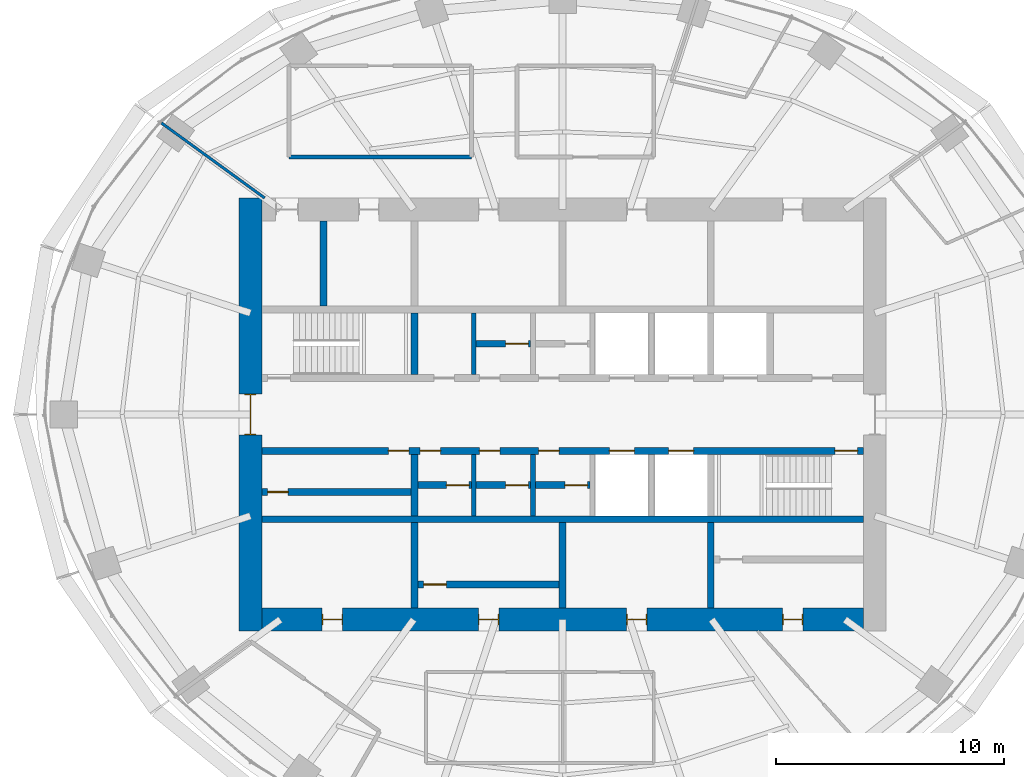
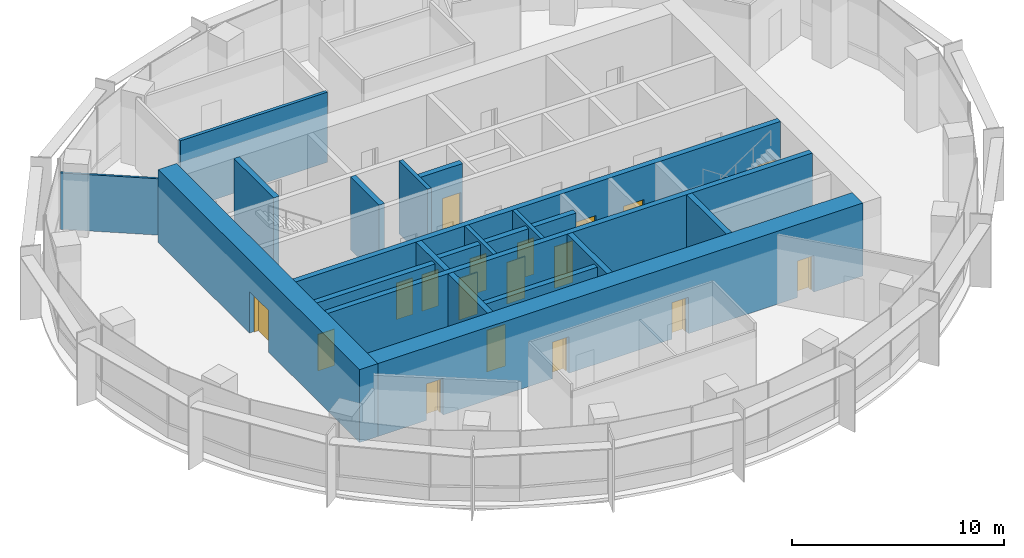
# One storey, part 9 of 13: 21 walls, 18 doors, 18 openings.
"""IFC4 building model written with IfcOpenShell, lengths in metres."""

from ifc_helpers import new_model, si_unit, direction, frame, frame_2d, origin, place, context, subcontext, project, spatial, rectangle, extrude, material, layer, layer_set, type_object, element, fill, save


model = new_model("IFC4")

# Units and contexts
model_context = context("Model", 3, precision=1e-05, world=origin(), true_north=direction((0.0, 1.0)))
body_context = subcontext(model_context, "Body", "Model", "MODEL_VIEW")
ifc_project = project(units=[si_unit("LENGTHUNIT", "METRE"), si_unit("AREAUNIT", "SQUARE_METRE"), si_unit("VOLUMEUNIT", "CUBIC_METRE"), si_unit("PLANEANGLEUNIT", "RADIAN"), si_unit("MASSUNIT", "GRAM", prefix="KILO")], contexts=[model_context])

# Site, building, storey
site_placement = place(None, origin())
site = spatial("IfcSite", under=ifc_project, at=site_placement, CompositionType="ELEMENT")
building_placement = place(site_placement, origin())
building = spatial("IfcBuilding", under=site, at=building_placement, Name="Marramba Exchange Tower", CompositionType="ELEMENT")
storey_placement = place(building_placement, frame((0.0, 0.0, 264.39990234375)))
storey = spatial("IfcBuildingStorey", under=building, at=storey_placement, Name="L64", CompositionType="ELEMENT", Elevation=264.39990234375)

# Walls
ifc_material_1 = material(Name="Plasterboard on staggered double steel studs, acoustic insulation", Category="steel")
ifc_layer_1 = layer(ifc_material_1, 0.169921875)
ifc_layer_set_1 = layer_set([ifc_layer_1], Name="Acoustic partition 170")
wall_type_1 = type_object("IfcWallType", Name="Acoustic partition 170", PredefinedType="PARTITIONING", material=ifc_layer_set_1)
wall_1_placement = place(storey_placement, frame((-4.0, 11.300048828125, 0.0), z_axis=(0.0, 0.0, 1.0), x_axis=(-1.0, 0.0, 0.0)))
element("IfcWall", 1, at=wall_1_placement, inside=storey, type_object=wall_type_1, Name="Acoustic partition L64 22", PredefinedType="PARTITIONING", context=body_context, shape_type="SweptSolid", body=[
    extrude(rectangle(XDim=8.0, YDim=0.169921875, at=frame_2d((4.0, 0.0))), origin(), (0.0, 0.0, 1.0), 4.0400390625),
])
ifc_material_2 = material(Name="Concrete N50", Category="concrete")
ifc_layer_2 = layer(ifc_material_2, 0.199951171875)
ifc_layer_set_2 = layer_set([ifc_layer_2], Name="Core shaft wall 200")
wall_type_2 = type_object("IfcWallType", Name="Core shaft wall 200", PredefinedType="SHEAR", material=ifc_layer_set_2)
for number, where, z_axis, x_axis, name in (
    (2, (-3.89990234375, 1.75, 0.0), (0.0, 0.0, 1.0), (0.0, 1.0, 0.0), "Core wall SHN1 L64"),
    (3, (-3.89990234375, -1.75, 0.0), (0.0, 0.0, 1.0), (0.0, -1.0, 0.0), "Core wall SHS1 L64"),
    (4, (-1.300048828125, -1.75, 0.0), (0.0, 0.0, 1.0), (0.0, -1.0, 0.0), "Core wall SHS2 L64"),
):
    element("IfcWall", number, at=place(storey_placement, frame(where, z_axis=z_axis, x_axis=x_axis)), inside=storey, type_object=wall_type_2, Name=name, PredefinedType="SHEAR", context=body_context, shape_type="SweptSolid", body=[
        extrude(rectangle(XDim=2.699951171875, YDim=0.199951171875, at=frame_2d((1.35009765625, 0.0))), origin(), (0.0, 0.0, 1.0), 4.2001953125),
    ])

# Wall, openings, doors
ifc_layer_3 = layer(ifc_material_2, 1.0)
ifc_layer_set_3 = layer_set([ifc_layer_3], Name="Core wall 1000")
wall_type_3 = type_object("IfcWallType", Name="Core wall 1000", PredefinedType="SHEAR", material=ifc_layer_set_3)
wall_2_placement = place(storey_placement, frame((-13.199951171875, -9.0, 0.0), z_axis=(0.0, 0.0, 1.0), x_axis=(1.0, 0.0, 0.0)))
wall_2 = element("IfcWall", 5, at=wall_2_placement, inside=storey, type_object=wall_type_3, Name="Core wall S L64", PredefinedType="SHEAR", context=body_context, shape_type="SweptSolid", body=[
    extrude(rectangle(XDim=26.39990234375, YDim=1.0, at=frame_2d((13.199951171875, 0.0))), origin(), (0.0, 0.0, 1.0), 4.2001953125),
])
opening_1_placement = place(wall_2_placement, frame((2.64990234375, 0.0, 0.0)))
opening_1 = element("IfcOpeningElement", 6, at=opening_1_placement, cuts=wall_2, Name="Opening D5", PredefinedType="OPENING", context=body_context, shape_type="SweptSolid", body=[
    extrude(rectangle(XDim=0.89990234375, YDim=2.10009765625, at=frame_2d((0.449951171875, 1.050048828125))), frame((0.0, 0.510009765625, 0.0), z_axis=(0.0, -1.0, 0.0), x_axis=(1.0, 0.0, 0.0)), (0.0, 0.0, 1.0), 1.02001953125),
])
opening_2_placement = place(wall_2_placement, frame((9.5, 0.0, 0.0)))
opening_2 = element("IfcOpeningElement", 7, at=opening_2_placement, cuts=wall_2, Name="Opening D5", PredefinedType="OPENING", context=body_context, shape_type="SweptSolid", body=[
    extrude(rectangle(XDim=0.89990234375, YDim=2.10009765625, at=frame_2d((0.449951171875, 1.050048828125))), frame((0.0, 0.510009765625, 0.0), z_axis=(0.0, -1.0, 0.0), x_axis=(1.0, 0.0, 0.0)), (0.0, 0.0, 1.0), 1.02001953125),
])
opening_3_placement = place(wall_2_placement, frame((16.0, 0.0, 0.0)))
opening_3 = element("IfcOpeningElement", 8, at=opening_3_placement, cuts=wall_2, Name="Opening D5", PredefinedType="OPENING", context=body_context, shape_type="SweptSolid", body=[
    extrude(rectangle(XDim=0.89990234375, YDim=2.10009765625, at=frame_2d((0.449951171875, 1.050048828125))), frame((0.0, 0.510009765625, 0.0), z_axis=(0.0, -1.0, 0.0), x_axis=(1.0, 0.0, 0.0)), (0.0, 0.0, 1.0), 1.02001953125),
])
opening_4_placement = place(wall_2_placement, frame((22.85009765625, 0.0, 0.0)))
opening_4 = element("IfcOpeningElement", 9, at=opening_4_placement, cuts=wall_2, Name="Opening D5", PredefinedType="OPENING", context=body_context, shape_type="SweptSolid", body=[
    extrude(rectangle(XDim=0.89990234375, YDim=2.10009765625, at=frame_2d((0.449951171875, 1.050048828125))), frame((0.0, 0.510009765625, 0.0), z_axis=(0.0, -1.0, 0.0), x_axis=(1.0, 0.0, 0.0)), (0.0, 0.0, 1.0), 1.02001953125),
])
ifc_material_3 = material(Name="Steel-framed door", Category="steel")
door_type_1 = type_object("IfcDoorType", Name="Service door 900x2100", OperationType="SINGLE_SWING_LEFT", PredefinedType="DOOR", material=ifc_material_3)
door_1_placement = place(opening_1_placement, origin())
door_1 = element("IfcDoor", 10, at=door_1_placement, inside=storey, type_object=door_type_1, Name="D5 ahu L64", OperationType="SINGLE_SWING_LEFT", OverallHeight=2.10009765625, OverallWidth=0.89990234375, PredefinedType="DOOR", context=body_context, shape_type="SweptSolid", body=[
    extrude(rectangle(XDim=0.81982421875, YDim=2.06005859375, at=frame_2d((0.449951171875, 1.030029296875))), frame((0.0, 0.02490234375, 0.0), z_axis=(0.0, -1.0, 0.0), x_axis=(1.0, 0.0, 0.0)), (0.0, 0.0, 1.0), 0.050048828125),
    extrude(rectangle(XDim=0.04, YDim=2.10009765625, at=frame_2d((0.02001953125, 1.050048828125))), frame((0.0, 0.25, 0.0), z_axis=(0.0, -1.0, 0.0), x_axis=(1.0, 0.0, 0.0)), (0.0, 0.0, 1.0), 0.5),
    extrude(rectangle(XDim=0.04, YDim=2.10009765625, at=frame_2d((0.8798828125, 1.050048828125))), frame((0.0, 0.25, 0.0), z_axis=(0.0, -1.0, 0.0), x_axis=(1.0, 0.0, 0.0)), (0.0, 0.0, 1.0), 0.5),
    extrude(rectangle(XDim=0.81982421875, YDim=0.04, at=frame_2d((0.449951171875, 2.080078125))), frame((0.0, 0.25, 0.0), z_axis=(0.0, -1.0, 0.0), x_axis=(1.0, 0.0, 0.0)), (0.0, 0.0, 1.0), 0.5),
])
fill(opening_1, door_1)
door_2_placement = place(opening_2_placement, origin())
door_2 = element("IfcDoor", 11, at=door_2_placement, inside=storey, type_object=door_type_1, Name="D5 store L64", OperationType="SINGLE_SWING_RIGHT", OverallHeight=2.10009765625, OverallWidth=0.89990234375, PredefinedType="DOOR", context=body_context, shape_type="SweptSolid", body=[
    extrude(rectangle(XDim=0.81982421875, YDim=2.06005859375, at=frame_2d((0.449951171875, 1.030029296875))), frame((0.0, 0.02490234375, 0.0), z_axis=(0.0, -1.0, 0.0), x_axis=(1.0, 0.0, 0.0)), (0.0, 0.0, 1.0), 0.050048828125),
    extrude(rectangle(XDim=0.04, YDim=2.10009765625, at=frame_2d((0.02001953125, 1.050048828125))), frame((0.0, 0.25, 0.0), z_axis=(0.0, -1.0, 0.0), x_axis=(1.0, 0.0, 0.0)), (0.0, 0.0, 1.0), 0.5),
    extrude(rectangle(XDim=0.04, YDim=2.10009765625, at=frame_2d((0.8798828125, 1.050048828125))), frame((0.0, 0.25, 0.0), z_axis=(0.0, -1.0, 0.0), x_axis=(1.0, 0.0, 0.0)), (0.0, 0.0, 1.0), 0.5),
    extrude(rectangle(XDim=0.81982421875, YDim=0.04, at=frame_2d((0.449951171875, 2.080078125))), frame((0.0, 0.25, 0.0), z_axis=(0.0, -1.0, 0.0), x_axis=(1.0, 0.0, 0.0)), (0.0, 0.0, 1.0), 0.5),
])
fill(opening_2, door_2)
door_3_placement = place(opening_3_placement, origin())
door_3 = element("IfcDoor", 12, at=door_3_placement, inside=storey, type_object=door_type_1, Name="D5 switch L64", OperationType="SINGLE_SWING_RIGHT", OverallHeight=2.10009765625, OverallWidth=0.89990234375, PredefinedType="DOOR", context=body_context, shape_type="SweptSolid", body=[
    extrude(rectangle(XDim=0.81982421875, YDim=2.06005859375, at=frame_2d((0.449951171875, 1.030029296875))), frame((0.0, 0.02490234375, 0.0), z_axis=(0.0, -1.0, 0.0), x_axis=(1.0, 0.0, 0.0)), (0.0, 0.0, 1.0), 0.050048828125),
    extrude(rectangle(XDim=0.04, YDim=2.10009765625, at=frame_2d((0.02001953125, 1.050048828125))), frame((0.0, 0.25, 0.0), z_axis=(0.0, -1.0, 0.0), x_axis=(1.0, 0.0, 0.0)), (0.0, 0.0, 1.0), 0.5),
    extrude(rectangle(XDim=0.04, YDim=2.10009765625, at=frame_2d((0.8798828125, 1.050048828125))), frame((0.0, 0.25, 0.0), z_axis=(0.0, -1.0, 0.0), x_axis=(1.0, 0.0, 0.0)), (0.0, 0.0, 1.0), 0.5),
    extrude(rectangle(XDim=0.81982421875, YDim=0.04, at=frame_2d((0.449951171875, 2.080078125))), frame((0.0, 0.25, 0.0), z_axis=(0.0, -1.0, 0.0), x_axis=(1.0, 0.0, 0.0)), (0.0, 0.0, 1.0), 0.5),
])
fill(opening_3, door_3)
door_4_placement = place(opening_4_placement, origin())
door_4 = element("IfcDoor", 13, at=door_4_placement, inside=storey, type_object=door_type_1, Name="D5 cstore L64", OperationType="SINGLE_SWING_RIGHT", OverallHeight=2.10009765625, OverallWidth=0.89990234375, PredefinedType="DOOR", context=body_context, shape_type="SweptSolid", body=[
    extrude(rectangle(XDim=0.81982421875, YDim=2.06005859375, at=frame_2d((0.449951171875, 1.030029296875))), frame((0.0, 0.02490234375, 0.0), z_axis=(0.0, -1.0, 0.0), x_axis=(1.0, 0.0, 0.0)), (0.0, 0.0, 1.0), 0.050048828125),
    extrude(rectangle(XDim=0.04, YDim=2.10009765625, at=frame_2d((0.02001953125, 1.050048828125))), frame((0.0, 0.25, 0.0), z_axis=(0.0, -1.0, 0.0), x_axis=(1.0, 0.0, 0.0)), (0.0, 0.0, 1.0), 0.5),
    extrude(rectangle(XDim=0.04, YDim=2.10009765625, at=frame_2d((0.8798828125, 1.050048828125))), frame((0.0, 0.25, 0.0), z_axis=(0.0, -1.0, 0.0), x_axis=(1.0, 0.0, 0.0)), (0.0, 0.0, 1.0), 0.5),
    extrude(rectangle(XDim=0.81982421875, YDim=0.04, at=frame_2d((0.449951171875, 2.080078125))), frame((0.0, 0.25, 0.0), z_axis=(0.0, -1.0, 0.0), x_axis=(1.0, 0.0, 0.0)), (0.0, 0.0, 1.0), 0.5),
])
fill(opening_4, door_4)

# Wall, opening, door
wall_3_placement = place(storey_placement, frame((-13.699951171875, 9.5, 0.0), z_axis=(0.0, 0.0, 1.0), x_axis=(0.0, -1.0, 0.0)))
wall_3 = element("IfcWall", 14, at=wall_3_placement, inside=storey, type_object=wall_type_3, Name="Core wall W L64", PredefinedType="SHEAR", context=body_context, shape_type="SweptSolid", body=[
    extrude(rectangle(XDim=19.0, YDim=1.0, at=frame_2d((9.5, 0.0))), origin(), (0.0, 0.0, 1.0), 4.2001953125),
])
opening_5_placement = place(wall_3_placement, frame((8.60009765625, 0.0, 0.0)))
opening_5 = element("IfcOpeningElement", 15, at=opening_5_placement, cuts=wall_3, Name="Opening D1", PredefinedType="OPENING", context=body_context, shape_type="SweptSolid", body=[
    extrude(rectangle(XDim=1.800048828125, YDim=2.39990234375, at=frame_2d((0.89990234375, 1.199951171875))), frame((0.0, 0.510009765625, 0.0), z_axis=(0.0, -1.0, 0.0), x_axis=(1.0, 0.0, 0.0)), (0.0, 0.0, 1.0), 1.02001953125),
])
door_type_2 = type_object("IfcDoorType", Name="Lobby exit door 1800x2400", OperationType="DOUBLE_DOOR_SINGLE_SWING", PredefinedType="DOOR", material=ifc_material_3)
door_5_placement = place(opening_5_placement, origin())
door_5 = element("IfcDoor", 16, at=door_5_placement, inside=storey, type_object=door_type_2, Name="D1 lobby exit west L64", OperationType="DOUBLE_DOOR_SINGLE_SWING", OverallHeight=2.39990234375, OverallWidth=1.800048828125, PredefinedType="DOOR", context=body_context, shape_type="SweptSolid", body=[
    extrude(rectangle(XDim=1.719970703125, YDim=2.35986328125, at=frame_2d((0.89990234375, 1.179931640625))), frame((0.0, 0.02490234375, 0.0), z_axis=(0.0, -1.0, 0.0), x_axis=(1.0, 0.0, 0.0)), (0.0, 0.0, 1.0), 0.050048828125),
    extrude(rectangle(XDim=0.04, YDim=2.39990234375, at=frame_2d((0.02001953125, 1.199951171875))), frame((0.0, 0.25, 0.0), z_axis=(0.0, -1.0, 0.0), x_axis=(1.0, 0.0, 0.0)), (0.0, 0.0, 1.0), 0.5),
    extrude(rectangle(XDim=0.04, YDim=2.39990234375, at=frame_2d((1.780029296875, 1.199951171875))), frame((0.0, 0.25, 0.0), z_axis=(0.0, -1.0, 0.0), x_axis=(1.0, 0.0, 0.0)), (0.0, 0.0, 1.0), 0.5),
    extrude(rectangle(XDim=1.719970703125, YDim=0.04, at=frame_2d((0.89990234375, 2.3798828125))), frame((0.0, 0.25, 0.0), z_axis=(0.0, -1.0, 0.0), x_axis=(1.0, 0.0, 0.0)), (0.0, 0.0, 1.0), 0.5),
])
fill(opening_5, door_5)

# Wall, openings, doors
ifc_layer_4 = layer(ifc_material_2, 0.300048828125)
ifc_layer_set_4 = layer_set([ifc_layer_4], Name="Core wall 300")
wall_type_4 = type_object("IfcWallType", Name="Core wall 300", PredefinedType="SHEAR", material=ifc_layer_set_4)
wall_4_placement = place(storey_placement, frame((-13.199951171875, -1.60009765625, 0.0), z_axis=(0.0, 0.0, 1.0), x_axis=(1.0, 0.0, 0.0)))
wall_4 = element("IfcWall", 17, at=wall_4_placement, inside=storey, type_object=wall_type_4, Name="Core wall LS L64", PredefinedType="SHEAR", context=body_context, shape_type="SweptSolid", body=[
    extrude(rectangle(XDim=26.39990234375, YDim=0.300048828125, at=frame_2d((13.199951171875, 0.0))), origin(), (0.0, 0.0, 1.0), 4.2001953125),
])
opening_6_placement = place(wall_4_placement, frame((25.14990234375, 0.0, 0.0)))
opening_6 = element("IfcOpeningElement", 18, at=opening_6_placement, cuts=wall_4, Name="Opening D2", PredefinedType="OPENING", context=body_context, shape_type="SweptSolid", body=[
    extrude(rectangle(XDim=1.0, YDim=2.10009765625, at=frame_2d((0.5, 1.050048828125))), frame((0.0, 0.159912109375, 0.0), z_axis=(0.0, -1.0, 0.0), x_axis=(1.0, 0.0, 0.0)), (0.0, 0.0, 1.0), 0.320068359375),
])
opening_7_placement = place(wall_4_placement, frame((6.949951171875, 0.0, 0.0)))
opening_7 = element("IfcOpeningElement", 19, at=opening_7_placement, cuts=wall_4, Name="Opening D3", PredefinedType="OPENING", context=body_context, shape_type="SweptSolid", body=[
    extrude(rectangle(XDim=0.89990234375, YDim=2.10009765625, at=frame_2d((0.449951171875, 1.050048828125))), frame((0.0, 0.159912109375, 0.0), z_axis=(0.0, -1.0, 0.0), x_axis=(1.0, 0.0, 0.0)), (0.0, 0.0, 1.0), 0.320068359375),
])
opening_8_placement = place(wall_4_placement, frame((9.550048828125, 0.0, 0.0)))
opening_8 = element("IfcOpeningElement", 20, at=opening_8_placement, cuts=wall_4, Name="Opening D5", PredefinedType="OPENING", context=body_context, shape_type="SweptSolid", body=[
    extrude(rectangle(XDim=0.89990234375, YDim=2.10009765625, at=frame_2d((0.449951171875, 1.050048828125))), frame((0.0, 0.159912109375, 0.0), z_axis=(0.0, -1.0, 0.0), x_axis=(1.0, 0.0, 0.0)), (0.0, 0.0, 1.0), 0.320068359375),
])
opening_9_placement = place(wall_4_placement, frame((12.14990234375, 0.0, 0.0)))
opening_9 = element("IfcOpeningElement", 21, at=opening_9_placement, cuts=wall_4, Name="Opening D5", PredefinedType="OPENING", context=body_context, shape_type="SweptSolid", body=[
    extrude(rectangle(XDim=0.89990234375, YDim=2.10009765625, at=frame_2d((0.449951171875, 1.050048828125))), frame((0.0, 0.159912109375, 0.0), z_axis=(0.0, -1.0, 0.0), x_axis=(1.0, 0.0, 0.0)), (0.0, 0.0, 1.0), 0.320068359375),
])
opening_10_placement = place(wall_4_placement, frame((15.25, 0.0, 0.0)))
opening_10 = element("IfcOpeningElement", 22, at=opening_10_placement, cuts=wall_4, Name="Opening LD2", PredefinedType="OPENING", context=body_context, shape_type="SweptSolid", body=[
    extrude(rectangle(XDim=1.10009765625, YDim=2.300048828125, at=frame_2d((0.550048828125, 1.14990234375))), frame((0.0, 0.159912109375, 0.0), z_axis=(0.0, -1.0, 0.0), x_axis=(1.0, 0.0, 0.0)), (0.0, 0.0, 1.0), 0.320068359375),
])
opening_11_placement = place(wall_4_placement, frame((17.85009765625, 0.0, 0.0)))
opening_11 = element("IfcOpeningElement", 23, at=opening_11_placement, cuts=wall_4, Name="Opening LD2", PredefinedType="OPENING", context=body_context, shape_type="SweptSolid", body=[
    extrude(rectangle(XDim=1.10009765625, YDim=2.300048828125, at=frame_2d((0.550048828125, 1.14990234375))), frame((0.0, 0.159912109375, 0.0), z_axis=(0.0, -1.0, 0.0), x_axis=(1.0, 0.0, 0.0)), (0.0, 0.0, 1.0), 0.320068359375),
])
opening_12_placement = place(wall_4_placement, frame((5.550048828125, 0.0, 0.0)))
opening_12 = element("IfcOpeningElement", 24, at=opening_12_placement, cuts=wall_4, Name="Opening D5", PredefinedType="OPENING", context=body_context, shape_type="SweptSolid", body=[
    extrude(rectangle(XDim=0.89990234375, YDim=2.10009765625, at=frame_2d((0.449951171875, 1.050048828125))), frame((0.0, 0.159912109375, 0.0), z_axis=(0.0, -1.0, 0.0), x_axis=(1.0, 0.0, 0.0)), (0.0, 0.0, 1.0), 0.320068359375),
])
door_type_3 = type_object("IfcDoorType", Name="Emergency lift landing door 1100x2300", OperationType="SLIDING_TO_LEFT", PredefinedType="DOOR", material=ifc_material_3)
door_6_placement = place(opening_10_placement, frame((1.10009765625, 0.0, 0.0), z_axis=(0.0, 0.0, 1.0), x_axis=(-1.0, 0.0, 0.0)))
door_6 = element("IfcDoor", 25, at=door_6_placement, inside=storey, type_object=door_type_3, Name="FL1 landing door L64", OperationType="SLIDING_TO_RIGHT", OverallHeight=2.300048828125, OverallWidth=1.10009765625, PredefinedType="DOOR", context=body_context, shape_type="SweptSolid", body=[
    extrude(rectangle(XDim=1.10009765625, YDim=2.300048828125, at=frame_2d((0.550048828125, 1.14990234375))), frame((0.0, 0.025146484375, 0.0), z_axis=(0.0, -1.0, 0.0), x_axis=(1.0, 0.0, 0.0)), (0.0, 0.0, 1.0), 0.050048828125),
])
fill(opening_10, door_6)
door_7_placement = place(opening_11_placement, frame((1.10009765625, 0.0, 0.0), z_axis=(0.0, 0.0, 1.0), x_axis=(-1.0, 0.0, 0.0)))
door_7 = element("IfcDoor", 26, at=door_7_placement, inside=storey, type_object=door_type_3, Name="FL2 landing door L64", OperationType="SLIDING_TO_LEFT", OverallHeight=2.300048828125, OverallWidth=1.10009765625, PredefinedType="DOOR", context=body_context, shape_type="SweptSolid", body=[
    extrude(rectangle(XDim=1.10009765625, YDim=2.300048828125, at=frame_2d((0.550048828125, 1.14990234375))), frame((0.0, 0.025146484375, 0.0), z_axis=(0.0, -1.0, 0.0), x_axis=(1.0, 0.0, 0.0)), (0.0, 0.0, 1.0), 0.050048828125),
])
fill(opening_11, door_7)
door_8_placement = place(opening_8_placement, frame((0.89990234375, 0.0, 0.0), z_axis=(0.0, 0.0, 1.0), x_axis=(-1.0, 0.0, 0.0)))
door_8 = element("IfcDoor", 27, at=door_8_placement, inside=storey, type_object=door_type_1, Name="D5 archive store n2 L64", OperationType="SINGLE_SWING_RIGHT", OverallHeight=2.10009765625, OverallWidth=0.89990234375, PredefinedType="DOOR", context=body_context, shape_type="SweptSolid", body=[
    extrude(rectangle(XDim=0.89990234375, YDim=2.10009765625, at=frame_2d((0.449951171875, 1.050048828125))), frame((0.0, 0.025146484375, 0.0), z_axis=(0.0, -1.0, 0.0), x_axis=(1.0, 0.0, 0.0)), (0.0, 0.0, 1.0), 0.050048828125),
])
fill(opening_8, door_8)
door_9_placement = place(opening_9_placement, frame((0.89990234375, 0.0, 0.0), z_axis=(0.0, 0.0, 1.0), x_axis=(-1.0, 0.0, 0.0)))
door_9 = element("IfcDoor", 28, at=door_9_placement, inside=storey, type_object=door_type_1, Name="D5 store room n2 L64", OperationType="SINGLE_SWING_RIGHT", OverallHeight=2.10009765625, OverallWidth=0.89990234375, PredefinedType="DOOR", context=body_context, shape_type="SweptSolid", body=[
    extrude(rectangle(XDim=0.89990234375, YDim=2.10009765625, at=frame_2d((0.449951171875, 1.050048828125))), frame((0.0, 0.025146484375, 0.0), z_axis=(0.0, -1.0, 0.0), x_axis=(1.0, 0.0, 0.0)), (0.0, 0.0, 1.0), 0.050048828125),
])
fill(opening_9, door_9)
door_10_placement = place(opening_12_placement, frame((0.89990234375, 0.0, 0.0), z_axis=(0.0, 0.0, 1.0), x_axis=(-1.0, 0.0, 0.0)))
door_10 = element("IfcDoor", 29, at=door_10_placement, inside=storey, type_object=door_type_1, Name="D5 electrical riser L64", OperationType="SINGLE_SWING_LEFT", OverallHeight=2.10009765625, OverallWidth=0.89990234375, PredefinedType="DOOR", context=body_context, shape_type="SweptSolid", body=[
    extrude(rectangle(XDim=0.89990234375, YDim=2.10009765625, at=frame_2d((0.449951171875, 1.050048828125))), frame((0.0, 0.025146484375, 0.0), z_axis=(0.0, -1.0, 0.0), x_axis=(1.0, 0.0, 0.0)), (0.0, 0.0, 1.0), 0.050048828125),
])
fill(opening_12, door_10)
door_type_4 = type_object("IfcDoorType", Name="Stair door 1000x2100", OperationType="SINGLE_SWING_LEFT", PredefinedType="DOOR", material=ifc_material_3)
door_11_placement = place(opening_6_placement, frame((1.0, 0.0, 0.0), z_axis=(0.0, 0.0, 1.0), x_axis=(-1.0, 0.0, 0.0)))
door_11 = element("IfcDoor", 30, at=door_11_placement, inside=storey, type_object=door_type_4, Name="D2 stair ST2 L64", OperationType="SINGLE_SWING_LEFT", OverallHeight=2.10009765625, OverallWidth=1.0, PredefinedType="DOOR", context=body_context, shape_type="SweptSolid", body=[
    extrude(rectangle(XDim=1.0, YDim=2.10009765625, at=frame_2d((0.5, 1.050048828125))), frame((0.0, 0.025146484375, 0.0), z_axis=(0.0, -1.0, 0.0), x_axis=(1.0, 0.0, 0.0)), (0.0, 0.0, 1.0), 0.050048828125),
])
fill(opening_6, door_11)
door_type_5 = type_object("IfcDoorType", Name="Toilet door 900x2100", OperationType="SINGLE_SWING_LEFT", PredefinedType="DOOR", material=ifc_material_3)
door_12_placement = place(opening_7_placement, frame((0.89990234375, 0.0, 0.0), z_axis=(0.0, 0.0, 1.0), x_axis=(-1.0, 0.0, 0.0)))
door_12 = element("IfcDoor", 31, at=door_12_placement, inside=storey, type_object=door_type_5, Name="D3 staff wc n1 L64", OperationType="SINGLE_SWING_RIGHT", OverallHeight=2.10009765625, OverallWidth=0.89990234375, PredefinedType="DOOR", context=body_context, shape_type="SweptSolid", body=[
    extrude(rectangle(XDim=0.89990234375, YDim=2.10009765625, at=frame_2d((0.449951171875, 1.050048828125))), frame((0.0, 0.025146484375, 0.0), z_axis=(0.0, -1.0, 0.0), x_axis=(1.0, 0.0, 0.0)), (0.0, 0.0, 1.0), 0.050048828125),
])
fill(opening_7, door_12)

# Walls
wall_5_placement = place(storey_placement, frame((-13.199951171875, -4.60009765625, 0.0), z_axis=(0.0, 0.0, 1.0), x_axis=(1.0, 0.0, 0.0)))
element("IfcWall", 32, at=wall_5_placement, inside=storey, type_object=wall_type_4, Name="Core wall BS L64", PredefinedType="SHEAR", context=body_context, shape_type="SweptSolid", body=[
    extrude(rectangle(XDim=26.39990234375, YDim=0.300048828125, at=frame_2d((13.199951171875, 0.0))), origin(), (0.0, 0.0, 1.0), 4.2001953125),
])
for number, where, z_axis, x_axis, name in (
    (33, (-6.5, 1.75, 0.0), (0.0, 0.0, 1.0), (0.0, 1.0, 0.0), "Core wall X0Na L64"),
    (34, (-6.5, -1.75, 0.0), (0.0, 0.0, 1.0), (0.0, -1.0, 0.0), "Core wall X0Sa L64"),
):
    element("IfcWall", number, at=place(storey_placement, frame(where, z_axis=z_axis, x_axis=x_axis)), inside=storey, type_object=wall_type_4, Name=name, PredefinedType="SHEAR", context=body_context, shape_type="SweptSolid", body=[
        extrude(rectangle(XDim=2.699951171875, YDim=0.300048828125, at=frame_2d((1.35009765625, 0.0))), origin(), (0.0, 0.0, 1.0), 4.2001953125),
    ])
for number, where, z_axis, x_axis, name in (
    (35, (-6.5, -4.75, 0.0), (0.0, 0.0, 1.0), (0.0, -1.0, 0.0), "Core wall X0Sb L64"),
    (36, (6.5, -4.75, 0.0), (0.0, 0.0, 1.0), (0.0, -1.0, 0.0), "Core wall X1Sb L64"),
    (37, (0.0, -4.75, 0.0), (0.0, 0.0, 1.0), (0.0, -1.0, 0.0), "Core wall MS L64"),
    (38, (-10.5, 4.75, 0.0), (0.0, 0.0, 1.0), (0.0, 1.0, 0.0), "Core wall WD L64"),
):
    element("IfcWall", number, at=place(storey_placement, frame(where, z_axis=z_axis, x_axis=x_axis)), inside=storey, type_object=wall_type_4, Name=name, PredefinedType="SHEAR", context=body_context, shape_type="SweptSolid", body=[
        extrude(rectangle(XDim=3.75, YDim=0.300048828125, at=frame_2d((1.875, 0.0))), origin(), (0.0, 0.0, 1.0), 4.2001953125),
    ])
ifc_material_4 = material(Name="Plasterboard on steel studs", Category="steel")
ifc_layer_5 = layer(ifc_material_4, 0.1201171875)
ifc_layer_set_5 = layer_set([ifc_layer_5], Name="Partition 120")
wall_type_5 = type_object("IfcWallType", Name="Partition 120", PredefinedType="PARTITIONING", material=ifc_layer_set_5)
wall_6_placement = place(storey_placement, frame((-13.07568359375, 9.5, 0.0), z_axis=(0.0, 0.0, 1.0), x_axis=(-0.809011091578, 0.58779337671, 0.0)))
element("IfcWall", 39, at=wall_6_placement, inside=storey, type_object=wall_type_5, Name="Partition L64 24", PredefinedType="PARTITIONING", context=body_context, shape_type="SweptSolid", body=[
    extrude(rectangle(XDim=5.60302734375, YDim=0.1201171875, at=frame_2d((2.801513671875, 0.0))), origin(), (0.0, 0.0, 1.0), 3.239990234375),
])

# Wall, opening, door
ifc_material_5 = material(Name="Core-filled concrete blockwork", Category="masonry")
ifc_layer_6 = layer(ifc_material_5, 0.300048828125)
ifc_layer_set_6 = layer_set([ifc_layer_6], Name="Riser enclosure wall 300")
wall_type_6 = type_object("IfcWallType", Name="Riser enclosure wall 300", PredefinedType="SOLIDWALL", material=ifc_layer_set_6)
wall_7_placement = place(storey_placement, frame((-13.199951171875, -3.39990234375, 0.0), z_axis=(0.0, 0.0, 1.0), x_axis=(1.0, 0.0, 0.0)))
wall_7 = element("IfcWall", 40, at=wall_7_placement, inside=storey, type_object=wall_type_6, Name="Riser enclosure wall L64", PredefinedType="SOLIDWALL", context=body_context, shape_type="SweptSolid", body=[
    extrude(rectangle(XDim=6.550048828125, YDim=0.300048828125, at=frame_2d((3.27490234375, 0.0))), origin(), (0.0, 0.0, 1.0), 4.0400390625),
])
opening_13_placement = place(wall_7_placement, frame((0.25, 0.0, 0.0)))
opening_13 = element("IfcOpeningElement", 41, at=opening_13_placement, cuts=wall_7, Name="Opening D5", PredefinedType="OPENING", context=body_context, shape_type="SweptSolid", body=[
    extrude(rectangle(XDim=0.89990234375, YDim=2.10009765625, at=frame_2d((0.449951171875, 1.050048828125))), frame((0.0, 0.159912109375, 0.0), z_axis=(0.0, -1.0, 0.0), x_axis=(1.0, 0.0, 0.0)), (0.0, 0.0, 1.0), 0.320068359375),
])
door_13_placement = place(opening_13_placement, frame((0.89990234375, 0.0, 0.0), z_axis=(0.0, 0.0, 1.0), x_axis=(-1.0, 0.0, 0.0)))
door_13 = element("IfcDoor", 42, at=door_13_placement, inside=storey, type_object=door_type_1, Name="D5 electrical riser back L64", OperationType="SINGLE_SWING_RIGHT", OverallHeight=2.10009765625, OverallWidth=0.89990234375, PredefinedType="DOOR", context=body_context, shape_type="SweptSolid", body=[
    extrude(rectangle(XDim=0.89990234375, YDim=2.10009765625, at=frame_2d((0.449951171875, 1.050048828125))), frame((0.0, 0.025146484375, 0.0), z_axis=(0.0, -1.0, 0.0), x_axis=(1.0, 0.0, 0.0)), (0.0, 0.0, 1.0), 0.050048828125),
])
fill(opening_13, door_13)

ifc_material_6 = material(Name="Plasterboard on steel studs, insulated, unrated", Category="steel")
ifc_layer_7 = layer(ifc_material_6, 0.300048828125)
ifc_layer_set_7 = layer_set([ifc_layer_7], Name="Store partition 300")
wall_type_7 = type_object("IfcWallType", Name="Store partition 300", PredefinedType="PARTITIONING", material=ifc_layer_set_7)
wall_8_placement = place(storey_placement, frame((-3.800048828125, 3.10009765625, 0.0), z_axis=(0.0, 0.0, 1.0), x_axis=(1.0, 0.0, 0.0)))
wall_8 = element("IfcWall", 43, at=wall_8_placement, inside=storey, type_object=wall_type_7, Name="Store partition L64 N2", PredefinedType="PARTITIONING", context=body_context, shape_type="SweptSolid", body=[
    extrude(rectangle(XDim=2.400146484375, YDim=0.300048828125, at=frame_2d((1.2001953125, 0.0))), origin(), (0.0, 0.0, 1.0), 4.0400390625),
])
opening_14_placement = place(wall_8_placement, frame((1.300048828125, 0.0, 0.0)))
opening_14 = element("IfcOpeningElement", 44, at=opening_14_placement, cuts=wall_8, Name="Opening D9", PredefinedType="OPENING", context=body_context, shape_type="SweptSolid", body=[
    extrude(rectangle(XDim=1.0, YDim=2.39990234375, at=frame_2d((0.5, 1.199951171875))), frame((0.0, 0.159912109375, 0.0), z_axis=(0.0, -1.0, 0.0), x_axis=(1.0, 0.0, 0.0)), (0.0, 0.0, 1.0), 0.320068359375),
])
ifc_material_7 = material(Name="Timber door", Category="wood")
door_type_6 = type_object("IfcDoorType", Name="Room door 1000x2400", OperationType="SINGLE_SWING_LEFT", PredefinedType="DOOR", material=ifc_material_7)
door_14_placement = place(opening_14_placement, origin())
door_14 = element("IfcDoor", 45, at=door_14_placement, inside=storey, type_object=door_type_6, Name="D9 store room N2 L64", OperationType="SINGLE_SWING_RIGHT", OverallHeight=2.39990234375, OverallWidth=1.0, PredefinedType="DOOR", context=body_context, shape_type="SweptSolid", body=[
    extrude(rectangle(XDim=1.0, YDim=2.39990234375, at=frame_2d((0.5, 1.199951171875))), frame((0.0, 0.02490234375, 0.0), z_axis=(0.0, -1.0, 0.0), x_axis=(1.0, 0.0, 0.0)), (0.0, 0.0, 1.0), 0.050048828125),
])
fill(opening_14, door_14)

wall_9_placement = place(storey_placement, frame((-6.35009765625, -3.10009765625, 0.0), z_axis=(0.0, 0.0, 1.0), x_axis=(1.0, 0.0, 0.0)))
wall_9 = element("IfcWall", 46, at=wall_9_placement, inside=storey, type_object=wall_type_7, Name="Store partition L64 S1", PredefinedType="PARTITIONING", context=body_context, shape_type="SweptSolid", body=[
    extrude(rectangle(XDim=2.35009765625, YDim=0.300048828125, at=frame_2d((1.175048828125, 0.0))), origin(), (0.0, 0.0, 1.0), 4.0400390625),
])
opening_15_placement = place(wall_9_placement, frame((1.25, 0.0, 0.0)))
opening_15 = element("IfcOpeningElement", 47, at=opening_15_placement, cuts=wall_9, Name="Opening D9", PredefinedType="OPENING", context=body_context, shape_type="SweptSolid", body=[
    extrude(rectangle(XDim=1.0, YDim=2.39990234375, at=frame_2d((0.5, 1.199951171875))), frame((0.0, 0.159912109375, 0.0), z_axis=(0.0, -1.0, 0.0), x_axis=(1.0, 0.0, 0.0)), (0.0, 0.0, 1.0), 0.320068359375),
])
door_15_placement = place(opening_15_placement, origin())
door_15 = element("IfcDoor", 48, at=door_15_placement, inside=storey, type_object=door_type_6, Name="D9 store room S1 L64", OperationType="SINGLE_SWING_RIGHT", OverallHeight=2.39990234375, OverallWidth=1.0, PredefinedType="DOOR", context=body_context, shape_type="SweptSolid", body=[
    extrude(rectangle(XDim=1.0, YDim=2.39990234375, at=frame_2d((0.5, 1.199951171875))), frame((0.0, 0.02490234375, 0.0), z_axis=(0.0, -1.0, 0.0), x_axis=(1.0, 0.0, 0.0)), (0.0, 0.0, 1.0), 0.050048828125),
])
fill(opening_15, door_15)

wall_10_placement = place(storey_placement, frame((-3.800048828125, -3.10009765625, 0.0), z_axis=(0.0, 0.0, 1.0), x_axis=(1.0, 0.0, 0.0)))
wall_10 = element("IfcWall", 49, at=wall_10_placement, inside=storey, type_object=wall_type_7, Name="Store partition L64 S2", PredefinedType="PARTITIONING", context=body_context, shape_type="SweptSolid", body=[
    extrude(rectangle(XDim=2.400146484375, YDim=0.300048828125, at=frame_2d((1.2001953125, 0.0))), origin(), (0.0, 0.0, 1.0), 4.0400390625),
])
opening_16_placement = place(wall_10_placement, frame((1.300048828125, 0.0, 0.0)))
opening_16 = element("IfcOpeningElement", 50, at=opening_16_placement, cuts=wall_10, Name="Opening D9", PredefinedType="OPENING", context=body_context, shape_type="SweptSolid", body=[
    extrude(rectangle(XDim=1.0, YDim=2.39990234375, at=frame_2d((0.5, 1.199951171875))), frame((0.0, 0.159912109375, 0.0), z_axis=(0.0, -1.0, 0.0), x_axis=(1.0, 0.0, 0.0)), (0.0, 0.0, 1.0), 0.320068359375),
])
door_16_placement = place(opening_16_placement, origin())
door_16 = element("IfcDoor", 51, at=door_16_placement, inside=storey, type_object=door_type_6, Name="D9 store room S2 L64", OperationType="SINGLE_SWING_RIGHT", OverallHeight=2.39990234375, OverallWidth=1.0, PredefinedType="DOOR", context=body_context, shape_type="SweptSolid", body=[
    extrude(rectangle(XDim=1.0, YDim=2.39990234375, at=frame_2d((0.5, 1.199951171875))), frame((0.0, 0.02490234375, 0.0), z_axis=(0.0, -1.0, 0.0), x_axis=(1.0, 0.0, 0.0)), (0.0, 0.0, 1.0), 0.050048828125),
])
fill(opening_16, door_16)

wall_11_placement = place(storey_placement, frame((-1.199951171875, -3.10009765625, 0.0), z_axis=(0.0, 0.0, 1.0), x_axis=(1.0, 0.0, 0.0)))
wall_11 = element("IfcWall", 52, at=wall_11_placement, inside=storey, type_object=wall_type_7, Name="Store partition L64 S3", PredefinedType="PARTITIONING", context=body_context, shape_type="SweptSolid", body=[
    extrude(rectangle(XDim=2.39990234375, YDim=0.300048828125, at=frame_2d((1.199951171875, 0.0))), origin(), (0.0, 0.0, 1.0), 4.0400390625),
])
opening_17_placement = place(wall_11_placement, frame((1.300048828125, 0.0, 0.0)))
opening_17 = element("IfcOpeningElement", 53, at=opening_17_placement, cuts=wall_11, Name="Opening D9", PredefinedType="OPENING", context=body_context, shape_type="SweptSolid", body=[
    extrude(rectangle(XDim=1.0, YDim=2.39990234375, at=frame_2d((0.5, 1.199951171875))), frame((0.0, 0.159912109375, 0.0), z_axis=(0.0, -1.0, 0.0), x_axis=(1.0, 0.0, 0.0)), (0.0, 0.0, 1.0), 0.320068359375),
])
door_17_placement = place(opening_17_placement, origin())
door_17 = element("IfcDoor", 54, at=door_17_placement, inside=storey, type_object=door_type_6, Name="D9 store room S3 L64", OperationType="SINGLE_SWING_RIGHT", OverallHeight=2.39990234375, OverallWidth=1.0, PredefinedType="DOOR", context=body_context, shape_type="SweptSolid", body=[
    extrude(rectangle(XDim=1.0, YDim=2.39990234375, at=frame_2d((0.5, 1.199951171875))), frame((0.0, 0.02490234375, 0.0), z_axis=(0.0, -1.0, 0.0), x_axis=(1.0, 0.0, 0.0)), (0.0, 0.0, 1.0), 0.050048828125),
])
fill(opening_17, door_17)

wall_12_placement = place(storey_placement, frame((-6.35009765625, -7.4599609375, 0.0), z_axis=(0.0, 0.0, 1.0), x_axis=(1.0, 0.0, 0.0)))
wall_12 = element("IfcWall", 55, at=wall_12_placement, inside=storey, type_object=wall_type_7, Name="Store partition L64 store", PredefinedType="PARTITIONING", context=body_context, shape_type="SweptSolid", body=[
    extrude(rectangle(XDim=6.2001953125, YDim=0.300048828125, at=frame_2d((3.10009765625, 0.0))), origin(), (0.0, 0.0, 1.0), 4.0400390625),
])
opening_18_placement = place(wall_12_placement, frame((0.25, 0.0, 0.0)))
opening_18 = element("IfcOpeningElement", 56, at=opening_18_placement, cuts=wall_12, Name="Opening D9", PredefinedType="OPENING", context=body_context, shape_type="SweptSolid", body=[
    extrude(rectangle(XDim=1.0, YDim=2.39990234375, at=frame_2d((0.5, 1.199951171875))), frame((0.0, 0.159912109375, 0.0), z_axis=(0.0, -1.0, 0.0), x_axis=(1.0, 0.0, 0.0)), (0.0, 0.0, 1.0), 0.320068359375),
])
door_18_placement = place(opening_18_placement, frame((1.0, 0.0, 0.0), z_axis=(0.0, 0.0, 1.0), x_axis=(-1.0, 0.0, 0.0)))
door_18 = element("IfcDoor", 57, at=door_18_placement, inside=storey, type_object=door_type_6, Name="D9 stationery store L64", OperationType="SINGLE_SWING_RIGHT", OverallHeight=2.39990234375, OverallWidth=1.0, PredefinedType="DOOR", context=body_context, shape_type="SweptSolid", body=[
    extrude(rectangle(XDim=1.0, YDim=2.39990234375, at=frame_2d((0.5, 1.199951171875))), frame((0.0, 0.025146484375, 0.0), z_axis=(0.0, -1.0, 0.0), x_axis=(1.0, 0.0, 0.0)), (0.0, 0.0, 1.0), 0.050048828125),
])
fill(opening_18, door_18)

save(model, "model.ifc")
